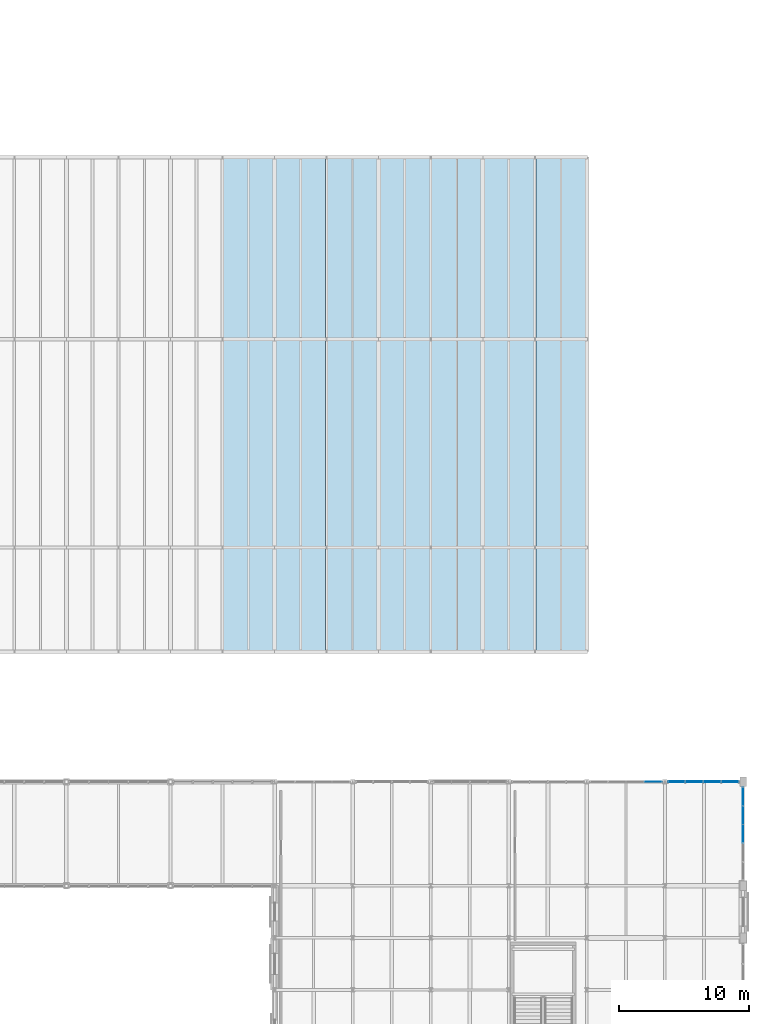
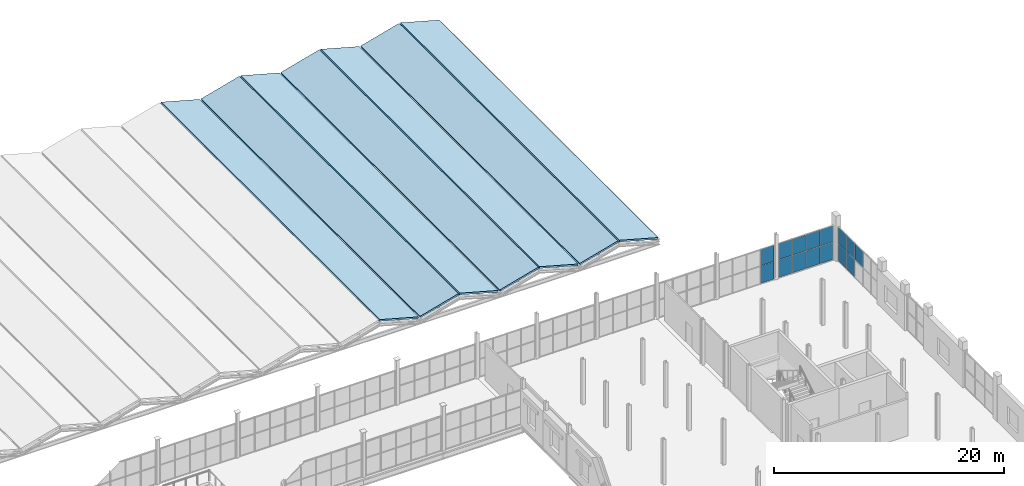
# One storey, part 90 of 114: 15 plates, 7 slabs, 3 elements without a shape of their own.
"""IFC4 building model written with IfcOpenShell, lengths in metres."""

from ifc_helpers import new_model, si_unit, direction, frame, origin, origin_2d, place, context, subcontext, project, spatial, polyline, rectangle, outline, extrude, material, layer, layer_set, type_object, element, aggregate, save


model = new_model("IFC4")

# Units and contexts
model_context = context("Model", 3, precision=1e-05, world=origin(), true_north=direction((0.0, 1.0)))
body_context = subcontext(model_context, "Body", "Model", "MODEL_VIEW")
ifc_project = project(units=[si_unit("LENGTHUNIT", "METRE"), si_unit("AREAUNIT", "SQUARE_METRE"), si_unit("VOLUMEUNIT", "CUBIC_METRE"), si_unit("PLANEANGLEUNIT", "RADIAN"), si_unit("MASSUNIT", "GRAM", prefix="KILO")], contexts=[model_context])

# Site, building, storey
site_placement = place(None, origin())
site = spatial("IfcSite", under=ifc_project, at=site_placement, CompositionType="ELEMENT")
building_placement = place(site_placement, origin())
building = spatial("IfcBuilding", under=site, at=building_placement, Name="Verrall Gate Interchange", CompositionType="ELEMENT")
storey_placement = place(building_placement, frame((0.0, 0.0, 6.60009765625)))
storey = spatial("IfcBuildingStorey", under=building, at=storey_placement, Name="L02", CompositionType="ELEMENT", Elevation=6.60009765625)

# Curtain wall, plates
ifc_material_1 = material(Name="Thermally Broken Anodized Aluminium Curtain Wall Framing", Category="aluminium")
curtain_wall_type_1 = type_object("IfcCurtainWallType", Name="CW-28 Unitized Curtain Wall 5629x3680", PredefinedType="NOTDEFINED", material=ifc_material_1)
curtain_wall_1_placement = place(storey_placement, origin())
curtain_wall_1 = element("IfcCurtainWall", 1, at=curtain_wall_1_placement, inside=storey, type_object=curtain_wall_type_1, Name="L02 Unitized Curtain Wall CW-L02-096", PredefinedType="NOTDEFINED")
ifc_material_2 = material(Name="Triple-Glazed Low-E Argon Insulated Curtain Panel (U=1.45)", Category="glass")
ifc_layer_1 = layer(ifc_material_2, 0.030029296875)
ifc_layer_set_1 = layer_set([ifc_layer_1], Name="Triple-Glazed Low-E Argon Insulated Curtain Panel (U=1.45)")
plate_type_1 = type_object("IfcPlateType", Name="CP-01 Curtain Glazing Panel 30", PredefinedType="CURTAIN_PANEL", material=ifc_layer_set_1)
plate_1_placement = place(storey_placement, frame((161.0947265625, 56.0, 0.054443359375), z_axis=(0.0, 0.0, 1.0), x_axis=(-1.0, 0.0, 0.0)))
plate_1 = element("IfcPlate", 2, at=plate_1_placement, type_object=plate_type_1, Name="CW-L02-096 Glazing Panel 1.1", PredefinedType="CURTAIN_PANEL", context=body_context, shape_type="SweptSolid", body=[
    extrude(rectangle(XDim=1.33056640625, YDim=0.030029296875, at=origin_2d()), origin(), (0.0, 0.0, 1.0), 1.8369140625),
])
plate_2_placement = place(storey_placement, frame((161.0947265625, 56.0, 1.935546875), z_axis=(0.0, 0.0, 1.0), x_axis=(-1.0, 0.0, 0.0)))
plate_2 = element("IfcPlate", 3, at=plate_2_placement, type_object=plate_type_1, Name="CW-L02-096 Glazing Panel 1.2", PredefinedType="CURTAIN_PANEL", context=body_context, shape_type="SweptSolid", body=[
    extrude(rectangle(XDim=1.33056640625, YDim=0.030029296875, at=origin_2d()), origin(), (0.0, 0.0, 1.0), 1.689697265625),
])
aggregate(curtain_wall_1, [plate_1, plate_2])

ifc_material_3 = material(Name="Thermally Broken Anodized Aluminium Curtain Wall Framing", Category="aluminium")
curtain_wall_type_2 = type_object("IfcCurtainWallType", Name="CW-26 Unitized Curtain Wall 7186x3680", PredefinedType="NOTDEFINED", material=ifc_material_3)
curtain_wall_2_placement = place(storey_placement, origin())
curtain_wall_2 = element("IfcCurtainWall", 4, at=curtain_wall_2_placement, inside=storey, type_object=curtain_wall_type_2, Name="L02 Unitized Curtain Wall CW-L02-094", PredefinedType="NOTDEFINED")
ifc_material_4 = material(Name="Triple-Glazed Low-E Argon Insulated Curtain Panel (U=1.45)", Category="glass")
ifc_layer_2 = layer(ifc_material_4, 0.0400390625)
ifc_layer_set_2 = layer_set([ifc_layer_2], Name="Triple-Glazed Low-E Argon Insulated Curtain Panel (U=1.45)")
plate_type_2 = type_object("IfcPlateType", Name="CP-02 Curtain Glazing Panel 40", PredefinedType="CURTAIN_PANEL", material=ifc_layer_set_2)
plate_3_placement = place(storey_placement, frame((168.0, 52.0, 1.935546875), z_axis=(0.0, 0.0, 1.0), x_axis=(0.0, 1.0, 0.0)))
plate_3 = element("IfcPlate", 5, at=plate_3_placement, type_object=plate_type_2, Name="CW-L02-094 Glazing Panel 3.2", PredefinedType="CURTAIN_PANEL", context=body_context, shape_type="SweptSolid", body=[
    extrude(rectangle(XDim=1.39306640625, YDim=0.0400390625, at=origin_2d()), origin(), (0.0, 0.0, 1.0), 1.689697265625),
])
plate_4_placement = place(storey_placement, frame((168.0, 53.437255859375, 0.054443359375), z_axis=(0.0, 0.0, 1.0), x_axis=(0.0, 1.0, 0.0)))
plate_4 = element("IfcPlate", 6, at=plate_4_placement, type_object=plate_type_2, Name="CW-L02-094 Glazing Panel 4.1", PredefinedType="CURTAIN_PANEL", context=body_context, shape_type="SweptSolid", body=[
    extrude(rectangle(XDim=1.39306640625, YDim=0.0400390625, at=origin_2d()), origin(), (0.0, 0.0, 1.0), 1.8369140625),
])
plate_5_placement = place(storey_placement, frame((168.0, 53.437255859375, 1.935546875), z_axis=(0.0, 0.0, 1.0), x_axis=(0.0, 1.0, 0.0)))
plate_5 = element("IfcPlate", 7, at=plate_5_placement, type_object=plate_type_2, Name="CW-L02-094 Glazing Panel 4.2", PredefinedType="CURTAIN_PANEL", context=body_context, shape_type="SweptSolid", body=[
    extrude(rectangle(XDim=1.39306640625, YDim=0.0400390625, at=origin_2d()), origin(), (0.0, 0.0, 1.0), 1.689697265625),
])
plate_6_placement = place(storey_placement, frame((168.0, 54.858154296875, 0.054443359375), z_axis=(0.0, 0.0, 1.0), x_axis=(0.0, 1.0, 0.0)))
plate_6 = element("IfcPlate", 8, at=plate_6_placement, type_object=plate_type_2, Name="CW-L02-094 Glazing Panel 5.1", PredefinedType="CURTAIN_PANEL", context=body_context, shape_type="SweptSolid", body=[
    extrude(rectangle(XDim=1.360595703125, YDim=0.0400390625, at=origin_2d()), origin(), (0.0, 0.0, 1.0), 1.8369140625),
])
plate_7_placement = place(storey_placement, frame((168.0, 54.858154296875, 1.935546875), z_axis=(0.0, 0.0, 1.0), x_axis=(0.0, 1.0, 0.0)))
plate_7 = element("IfcPlate", 9, at=plate_7_placement, type_object=plate_type_2, Name="CW-L02-094 Glazing Panel 5.2", PredefinedType="CURTAIN_PANEL", context=body_context, shape_type="SweptSolid", body=[
    extrude(rectangle(XDim=1.360595703125, YDim=0.0400390625, at=origin_2d()), origin(), (0.0, 0.0, 1.0), 1.689697265625),
])
aggregate(curtain_wall_2, [plate_3, plate_4, plate_5, plate_6, plate_7])

ifc_material_5 = material(Name="Thermally Broken Anodized Aluminium Curtain Wall Framing", Category="aluminium")
curtain_wall_type_3 = type_object("IfcCurtainWallType", Name="CW-27 Unitized Curtain Wall 5532x3680", PredefinedType="NOTDEFINED", material=ifc_material_5)
curtain_wall_3_placement = place(storey_placement, origin())
curtain_wall_3 = element("IfcCurtainWall", 10, at=curtain_wall_3_placement, inside=storey, type_object=curtain_wall_type_3, Name="L02 Unitized Curtain Wall CW-L02-095", PredefinedType="NOTDEFINED")
plate_8_placement = place(storey_placement, frame((167.0078125, 56.0, 0.062744140625), z_axis=(0.0, 0.0, 1.0), x_axis=(-1.0, 0.0, 0.0)))
plate_8 = element("IfcPlate", 11, at=plate_8_placement, type_object=plate_type_2, Name="CW-L02-095 Glazing Panel 1.1", PredefinedType="CURTAIN_PANEL", context=body_context, shape_type="SweptSolid", body=[
    extrude(rectangle(XDim=1.294677734375, YDim=0.0400390625, at=origin_2d()), origin(), (0.0, 0.0, 1.0), 1.8251953125),
])
plate_9_placement = place(storey_placement, frame((167.0078125, 56.0, 1.93896484375), z_axis=(0.0, 0.0, 1.0), x_axis=(-1.0, 0.0, 0.0)))
plate_9 = element("IfcPlate", 12, at=plate_9_placement, type_object=plate_type_2, Name="CW-L02-095 Glazing Panel 1.2", PredefinedType="CURTAIN_PANEL", context=body_context, shape_type="SweptSolid", body=[
    extrude(rectangle(XDim=1.294677734375, YDim=0.0400390625, at=origin_2d()), origin(), (0.0, 0.0, 1.0), 1.677978515625),
])
plate_10_placement = place(storey_placement, frame((165.643310546875, 56.0, 0.062744140625), z_axis=(0.0, 0.0, 1.0), x_axis=(-1.0, 0.0, 0.0)))
plate_10 = element("IfcPlate", 13, at=plate_10_placement, type_object=plate_type_2, Name="CW-L02-095 Glazing Panel 2.1", PredefinedType="CURTAIN_PANEL", context=body_context, shape_type="SweptSolid", body=[
    extrude(rectangle(XDim=1.33203125, YDim=0.0400390625, at=origin_2d()), origin(), (0.0, 0.0, 1.0), 1.8251953125),
])
plate_11_placement = place(storey_placement, frame((165.643310546875, 56.0, 1.93896484375), z_axis=(0.0, 0.0, 1.0), x_axis=(-1.0, 0.0, 0.0)))
plate_11 = element("IfcPlate", 14, at=plate_11_placement, type_object=plate_type_2, Name="CW-L02-095 Glazing Panel 2.2", PredefinedType="CURTAIN_PANEL", context=body_context, shape_type="SweptSolid", body=[
    extrude(rectangle(XDim=1.33203125, YDim=0.0400390625, at=origin_2d()), origin(), (0.0, 0.0, 1.0), 1.677978515625),
])
plate_12_placement = place(storey_placement, frame((164.26025390625, 56.0, 0.062744140625), z_axis=(0.0, 0.0, 1.0), x_axis=(-1.0, 0.0, 0.0)))
plate_12 = element("IfcPlate", 15, at=plate_12_placement, type_object=plate_type_2, Name="CW-L02-095 Glazing Panel 3.1", PredefinedType="CURTAIN_PANEL", context=body_context, shape_type="SweptSolid", body=[
    extrude(rectangle(XDim=1.332275390625, YDim=0.0400390625, at=origin_2d()), origin(), (0.0, 0.0, 1.0), 1.8251953125),
])
plate_13_placement = place(storey_placement, frame((164.26025390625, 56.0, 1.93896484375), z_axis=(0.0, 0.0, 1.0), x_axis=(-1.0, 0.0, 0.0)))
plate_13 = element("IfcPlate", 16, at=plate_13_placement, type_object=plate_type_2, Name="CW-L02-095 Glazing Panel 3.2", PredefinedType="CURTAIN_PANEL", context=body_context, shape_type="SweptSolid", body=[
    extrude(rectangle(XDim=1.332275390625, YDim=0.0400390625, at=origin_2d()), origin(), (0.0, 0.0, 1.0), 1.677978515625),
])
plate_14_placement = place(storey_placement, frame((162.895751953125, 56.0, 0.062744140625), z_axis=(0.0, 0.0, 1.0), x_axis=(-1.0, 0.0, 0.0)))
plate_14 = element("IfcPlate", 17, at=plate_14_placement, type_object=plate_type_2, Name="CW-L02-095 Glazing Panel 4.1", PredefinedType="CURTAIN_PANEL", context=body_context, shape_type="SweptSolid", body=[
    extrude(rectangle(XDim=1.294677734375, YDim=0.0400390625, at=origin_2d()), origin(), (0.0, 0.0, 1.0), 1.8251953125),
])
plate_15_placement = place(storey_placement, frame((162.895751953125, 56.0, 1.93896484375), z_axis=(0.0, 0.0, 1.0), x_axis=(-1.0, 0.0, 0.0)))
plate_15 = element("IfcPlate", 18, at=plate_15_placement, type_object=plate_type_2, Name="CW-L02-095 Glazing Panel 4.2", PredefinedType="CURTAIN_PANEL", context=body_context, shape_type="SweptSolid", body=[
    extrude(rectangle(XDim=1.294677734375, YDim=0.0400390625, at=origin_2d()), origin(), (0.0, 0.0, 1.0), 1.677978515625),
])
aggregate(curtain_wall_3, [plate_8, plate_9, plate_10, plate_11, plate_12, plate_13, plate_14, plate_15])

# Slabs
ifc_material_6 = material(Name="Concrete CSA A23.1 40 MPa (Class C-1)", Category="concrete")
ifc_layer_3 = layer(ifc_material_6, 0.179931640625)
ifc_layer_set_3 = layer_set([ifc_layer_3], Name="Concrete CSA A23.1 40 MPa (Class C-1)")
slab_type = type_object("IfcSlabType", Name="RS-02 Roof Slab 180", PredefinedType="ROOF", material=ifc_layer_set_3)
for number, where, z_axis, x_axis, name in (
    (19, (128.070068359375, 66.0, 1.480712890625), (0.265170657731, 0.0, 0.964201494647), (0.964201494647, 0.0, -0.265170657731), "Bus Concourse Folded-Plate Roof Facet RF-BP-22"),
    (20, (132.070068359375, 66.0, 0.419189453125), (-0.265170657731, 0.0, 0.964201494647), (0.964201494647, 0.0, 0.265170657731), "Bus Concourse Folded-Plate Roof Facet RF-BP-23"),
    (21, (136.070068359375, 66.0, 1.480712890625), (0.265170657731, 0.0, 0.964201494647), (0.964201494647, 0.0, -0.265170657731), "Bus Concourse Folded-Plate Roof Facet RF-BP-24"),
    (22, (140.070068359375, 66.0, 0.419189453125), (-0.265170657731, 0.0, 0.964201494647), (0.964201494647, 0.0, 0.265170657731), "Bus Concourse Folded-Plate Roof Facet RF-BP-25"),
    (23, (144.070068359375, 66.0, 1.480712890625), (0.265170657731, 0.0, 0.964201494647), (0.964201494647, 0.0, -0.265170657731), "Bus Concourse Folded-Plate Roof Facet RF-BP-26"),
    (24, (148.070068359375, 66.0, 0.419189453125), (-0.265170657731, 0.0, 0.964201494647), (0.964201494647, 0.0, 0.265170657731), "Bus Concourse Folded-Plate Roof Facet RF-BP-27"),
    (25, (152.070068359375, 66.0, 1.480712890625), (0.265170657731, 0.0, 0.964201494647), (0.964201494647, 0.0, -0.265170657731), "Bus Concourse Folded-Plate Roof Facet RF-BP-28"),
):
    element("IfcSlab", number, at=place(storey_placement, frame(where, z_axis=z_axis, x_axis=x_axis)), inside=storey, type_object=slab_type, Name=name, PredefinedType="ROOF", context=body_context, shape_type="SweptSolid", body=[
        extrude(outline(polyline([(0.0, 0.0), (4.003170813031069, 0.0), (4.003170813031069, 38.0), (0.0, 38.0), (0.0, 0.0)])), origin(), (0.0, 0.0, -1.0), 0.179931640625),
    ])

save(model, "model.ifc")
